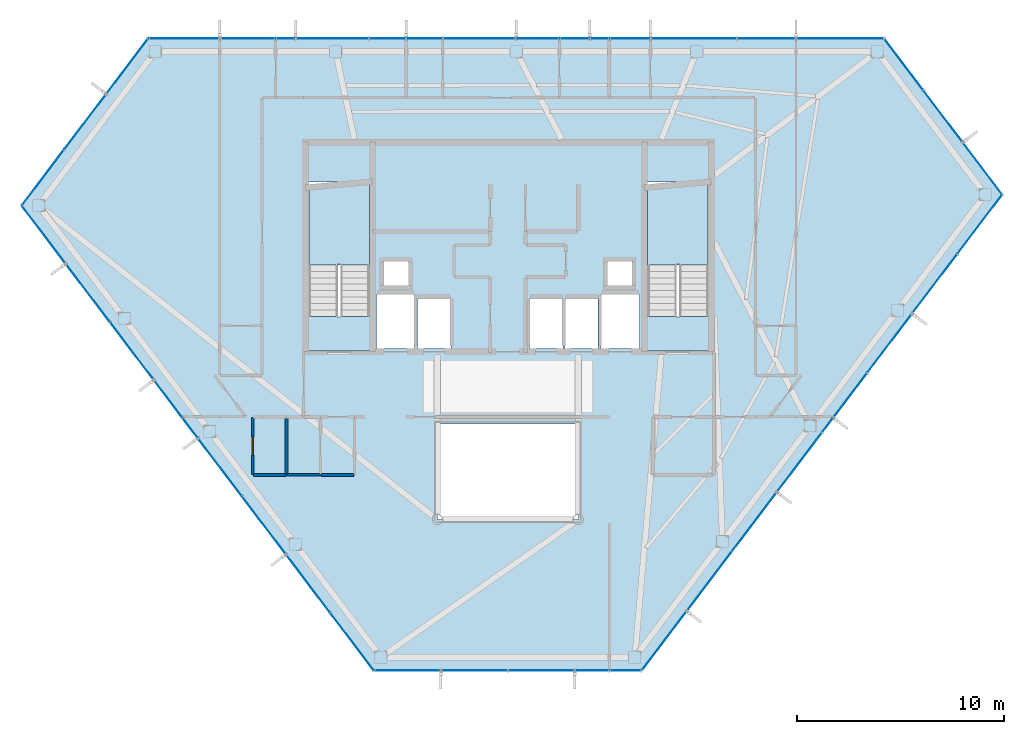
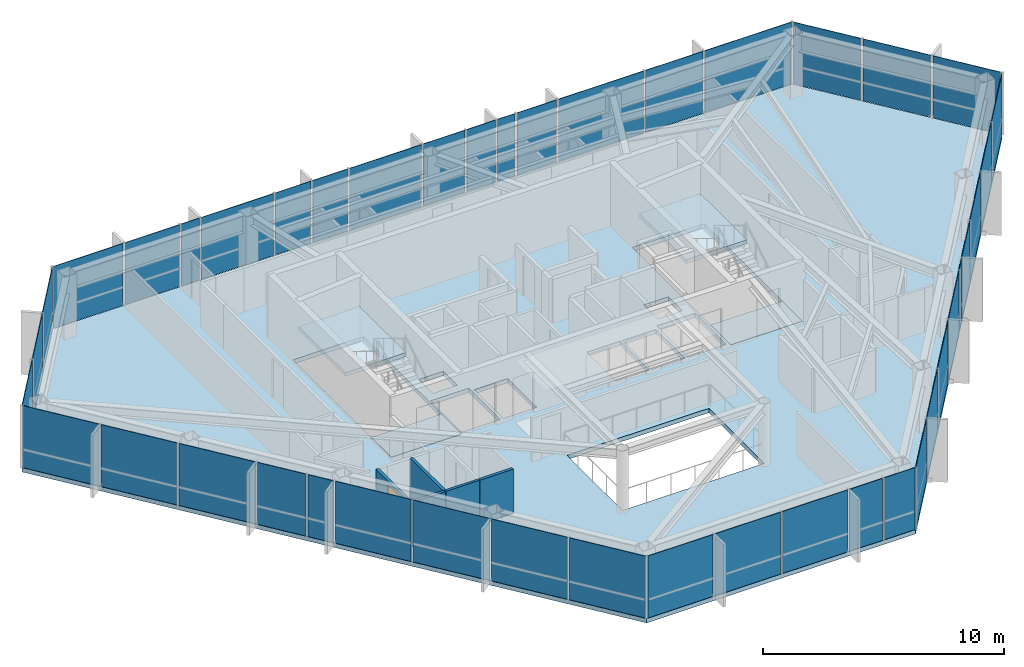
# One storey, part 21 of 25: 43 plates, 5 slabs, 5 walls, 1 door, 1 opening, 8 elements without a shape of their own.
"""IFC4 building model written with IfcOpenShell, lengths in metres."""

import ifcopenshell
import ifcopenshell.guid

model = None  # the IFC model being written
_history = None  # IfcOwnerHistory: only IFC2X3 demands one
_inside = {}  # id of a spatial element -> (the spatial element, [elements in it])
_under = {}  # id of a project, library or spatial element -> (it, [spatial elements below it])
_declared = {}  # id of a project -> (the project, [libraries it declares])
_typed = {}  # id of a type object -> (the type object, [elements of that type])
_made_of = {}  # id of a material, layer set ... -> (it, [elements and type objects made of it])


def new_model(schema):
    """Start an empty IFC model of exactly this schema.

    Asked for "IFC4X3", IfcOpenShell would pick the latest addendum, in which some entities
    have other attributes; the version numbers below select the first issue.
    IFC2X3 requires an IfcOwnerHistory on every rooted entity: one is made here for all.
    """
    global model, _history
    if schema == "IFC4X3":
        model = ifcopenshell.file(schema_version=(4, 3, 0, 0))
    else:
        model = ifcopenshell.file(schema=schema)
    _inside.clear()
    _under.clear()
    _declared.clear()
    _typed.clear()
    _made_of.clear()
    _history = None
    if model.schema == "IFC2X3":
        org = make("IfcOrganization", Name="unknown")
        user = make(
            "IfcPersonAndOrganization",
            ThePerson=make("IfcPerson", FamilyName="unknown"),
            TheOrganization=org,
        )
        app = make(
            "IfcApplication",
            ApplicationDeveloper=org,
            Version="unknown",
            ApplicationFullName="unknown",
            ApplicationIdentifier="unknown",
        )
        _history = make(
            "IfcOwnerHistory",
            OwningUser=user,
            OwningApplication=app,
            ChangeAction="ADDED",
            CreationDate=0,
        )
    return model


def make(cls, **values):
    """One entity of the class cls with the attributes given. An attribute that is None is left unset."""
    return model.create_entity(
        cls, **{name: value for name, value in values.items() if value is not None}
    )


def rooted(cls, **values):
    """An entity with a GlobalId (a new one), such as an element, a storey or a relation."""
    return make(cls, GlobalId=ifcopenshell.guid.new(), OwnerHistory=_history, **values)


def si_unit(unit_type, name, prefix=None):
    """IfcSIUnit, for example si_unit("LENGTHUNIT", "METRE", prefix="MILLI")."""
    return make("IfcSIUnit", UnitType=unit_type, Prefix=prefix, Name=name)


def assignment(units):
    """IfcUnitAssignment: the units of a project."""
    return None if units is None else make("IfcUnitAssignment", Units=units)


def point(xyz):
    """IfcCartesianPoint."""
    return None if xyz is None else make("IfcCartesianPoint", Coordinates=xyz)


def direction(xyz):
    """IfcDirection."""
    return None if xyz is None else make("IfcDirection", DirectionRatios=xyz)


def frame(location, z_axis=None, x_axis=None):
    """IfcAxis2Placement3D, a coordinate frame: its origin and axes. An axis left out is left unset."""
    return make(
        "IfcAxis2Placement3D",
        Location=point(location),
        Axis=direction(z_axis),
        RefDirection=direction(x_axis),
    )


def frame_2d(location, x_axis=None):
    """IfcAxis2Placement2D, a coordinate frame in the plane: its origin and x axis."""
    return make(
        "IfcAxis2Placement2D", Location=point(location), RefDirection=direction(x_axis)
    )


def origin():
    """The frame at (0, 0, 0) with its axes left unset."""
    return frame((0.0, 0.0, 0.0))


def origin_2d():
    """The frame at (0, 0) in the plane with its x axis left unset."""
    return frame_2d((0.0, 0.0))


def place(relative_to, where):
    """IfcLocalPlacement: puts the frame where relative to a parent placement (None: the world)."""
    return make(
        "IfcLocalPlacement", PlacementRelTo=relative_to, RelativePlacement=where
    )


def context(
    kind, dimensions, precision=None, world=None, true_north=None, identifier=None
):
    """IfcGeometricRepresentationContext, for example the 3D "Model" context."""
    return make(
        "IfcGeometricRepresentationContext",
        ContextIdentifier=identifier,
        ContextType=kind,
        CoordinateSpaceDimension=dimensions,
        Precision=precision,
        WorldCoordinateSystem=world,
        TrueNorth=true_north,
    )


def subcontext(parent, identifier, kind, view, scale=None):
    """IfcGeometricRepresentationSubContext, for example "Body" below "Model"."""
    return make(
        "IfcGeometricRepresentationSubContext",
        ContextIdentifier=identifier,
        ContextType=kind,
        ParentContext=parent,
        TargetScale=scale,
        TargetView=view,
    )


def project(units=None, contexts=None):
    """IfcProject with its units and contexts."""
    return rooted(
        "IfcProject",
        Name="project",
        RepresentationContexts=contexts,
        UnitsInContext=assignment(units),
    )


def spatial(cls, under=None, at=None, **own):
    """A site, building, storey or space (cls), placed at a placement, below another one or the project."""
    s = rooted(cls, ObjectPlacement=at, **own)
    if under is not None:
        _under.setdefault(under.id(), (under, []))[1].append(s)
    return s


def polyline(points):
    """IfcPolyline through the points."""
    return make("IfcPolyline", Points=[point(p) for p in points])


def profile(cls, at=None, kind="AREA", **sizes):
    """A parametric profile (cls). Its sizes go by their IFC names, for example OverallWidth=200.0."""
    return make(cls, ProfileType=kind, Position=at, **sizes)


def rectangle(**sizes):
    """IfcRectangleProfileDef."""
    return profile("IfcRectangleProfileDef", **sizes)


def outline(outer, holes=None, kind="AREA"):
    """IfcArbitraryClosedProfileDef: a profile drawn as a closed curve; with holes, ...WithVoids."""
    if holes is None:
        return make("IfcArbitraryClosedProfileDef", ProfileType=kind, OuterCurve=outer)
    return make(
        "IfcArbitraryProfileDefWithVoids",
        ProfileType=kind,
        OuterCurve=outer,
        InnerCurves=holes,
    )


def extrude(swept, where, along, depth):
    """IfcExtrudedAreaSolid: the profile swept, set in the frame where, extruded along a direction by depth."""
    return make(
        "IfcExtrudedAreaSolid",
        SweptArea=swept,
        Position=where,
        ExtrudedDirection=direction(along),
        Depth=depth,
    )


def shape(context_of_items, identifier, shape_type, items):
    """IfcShapeRepresentation: the items that make up one representation, for example the "Body"."""
    return make(
        "IfcShapeRepresentation",
        ContextOfItems=context_of_items,
        RepresentationIdentifier=identifier,
        RepresentationType=shape_type,
        Items=items,
    )


def material(Name=None, Category=None):
    """IfcMaterial."""
    return make("IfcMaterial", Name=Name, Category=Category)


def layer(
    of_material, thickness, ventilated=None, Name=None, Category=None, Priority=None
):
    """IfcMaterialLayer: one layer of a wall or slab, of a material (None: an air gap)."""
    return make(
        "IfcMaterialLayer",
        Material=of_material,
        LayerThickness=thickness,
        IsVentilated=ventilated,
        Name=Name,
        Category=Category,
        Priority=Priority,
    )


def layer_set(layers, Name=None):
    """IfcMaterialLayerSet."""
    return make("IfcMaterialLayerSet", MaterialLayers=layers, LayerSetName=Name)


def made_of(thing, what):
    """Note that an element or type object is made of a material, layer set ...; save() writes the relation."""
    if what is not None:
        _made_of.setdefault(what.id(), (what, []))[1].append(thing)
    return thing


def type_object(cls, material=None, **own):
    """A type object (cls), such as IfcWallType, which elements share."""
    return made_of(rooted(cls, **own), material)


def element(
    cls,
    number,
    at=None,
    inside=None,
    cuts=None,
    type_object=None,
    material=None,
    context=None,
    identifier="Body",
    shape_type=None,
    held_by="IfcProductDefinitionShape",
    body=None,
    shapes=None,
    **own,
):
    """One element of the class cls, such as IfcWall. Its Tag is "e" and its number.

    at: its placement. inside: the storey or other place that contains it. cuts: it is an
    opening in that element (IfcRelVoidsElement). A single representation is given by context,
    identifier, shape_type and body (its items); several are given by shapes. held_by: the class
    of the entity that holds the representations. save() writes the other relations.
    """
    e = rooted(cls, Tag="e%d" % number, ObjectPlacement=at, **own)
    if body is not None:
        shapes = [shape(context, identifier, shape_type, body)]
    if shapes is not None:
        e.Representation = make(held_by, Representations=shapes)
    if inside is not None:
        _inside.setdefault(inside.id(), (inside, []))[1].append(e)
    if cuts is not None:
        rooted(
            "IfcRelVoidsElement", RelatingBuildingElement=cuts, RelatedOpeningElement=e
        )
    if type_object is not None:
        _typed.setdefault(type_object.id(), (type_object, []))[1].append(e)
    return made_of(e, material)


def fill(opening, filler):
    """IfcRelFillsElement: the door or window that sits in an opening."""
    return rooted(
        "IfcRelFillsElement",
        RelatingOpeningElement=opening,
        RelatedBuildingElement=filler,
    )


def aggregate(whole, parts):
    """IfcRelAggregates: a whole, such as a stair, and the parts it consists of."""
    return rooted("IfcRelAggregates", RelatingObject=whole, RelatedObjects=parts)


def save(model, path):
    """Write the relations noted so far, then the file.

    IfcRelAggregates (storeys below a building ...), IfcRelContainedInSpatialStructure (elements
    in a storey), IfcRelDefinesByType, IfcRelAssociatesMaterial and IfcRelDeclares: one each for
    every whole, place, type object, material and project.
    """
    for whole, parts in _under.values():
        aggregate(whole, parts)
    for where, things in _inside.values():
        rooted(
            "IfcRelContainedInSpatialStructure",
            RelatedElements=things,
            RelatingStructure=where,
        )
    for kind, things in _typed.values():
        rooted("IfcRelDefinesByType", RelatedObjects=things, RelatingType=kind)
    for what, things in _made_of.values():
        rooted("IfcRelAssociatesMaterial", RelatedObjects=things, RelatingMaterial=what)
    for by, libraries in _declared.values():
        rooted("IfcRelDeclares", RelatingContext=by, RelatedDefinitions=libraries)
    model.write(path)


model = new_model("IFC4")

# Units and contexts
model_context = context("Model", 3, precision=1e-05, world=origin(), true_north=direction((0.0, 1.0)))
body_context = subcontext(model_context, "Body", "Model", "MODEL_VIEW")
ifc_project = project(units=[si_unit("LENGTHUNIT", "METRE"), si_unit("AREAUNIT", "SQUARE_METRE"), si_unit("VOLUMEUNIT", "CUBIC_METRE"), si_unit("PLANEANGLEUNIT", "RADIAN"), si_unit("MASSUNIT", "GRAM", prefix="KILO")], contexts=[model_context])

# Site, building, storey
site_placement = place(None, origin())
site = spatial("IfcSite", under=ifc_project, at=site_placement, CompositionType="ELEMENT")
building_placement = place(site_placement, origin())
building = spatial("IfcBuilding", under=site, at=building_placement, Name="Zarrinselat Tower", CompositionType="ELEMENT")
storey_placement = place(building_placement, frame((0.0, 0.0, 212.159912109375)))
storey = spatial("IfcBuildingStorey", under=building, at=storey_placement, Name="L52", CompositionType="ELEMENT", Elevation=212.159912109375)

# Curtain wall, plates
ifc_material_1 = material(Name="Extruded Aluminium Alloy EN AW-6063 T6", Category="aluminium")
ifc_layer_1 = layer(ifc_material_1, 0.169921875)
ifc_layer_set_1 = layer_set([ifc_layer_1], Name="Extruded Aluminium Alloy EN AW-6063 T6")
curtain_wall_type = type_object("IfcCurtainWallType", Name="CWS-RES", PredefinedType="NOTDEFINED", material=ifc_layer_set_1)
curtain_wall_1_placement = place(storey_placement, origin())
curtain_wall_1 = element("IfcCurtainWall", 1, at=curtain_wall_1_placement, inside=storey, type_object=curtain_wall_type, Name="L52 Unitised Curtain Wall CW-L52-E01", PredefinedType="NOTDEFINED")
ifc_material_2 = material(Name="Double Low-E Laminated Solar Glass", Category="glass")
ifc_layer_2 = layer(ifc_material_2, 0.028076171875)
ifc_layer_set_2 = layer_set([ifc_layer_2], Name="Double Low-E Laminated Solar Glass")
plate_type = type_object("IfcPlateType", Name="PLT-CW-GL28", PredefinedType="CURTAIN_PANEL", material=ifc_layer_set_2)
plate_1_placement = place(storey_placement, frame((54.420654296875, 48.4111328125, 0.02001953125), z_axis=(0.0, 0.0, 1.0), x_axis=(-1.0, 0.0, 0.0)))
plate_1 = element("IfcPlate", 2, at=plate_1_placement, type_object=plate_type, Name="CW-L52-E01 Vision Glass Panel 1", PredefinedType="CURTAIN_PANEL", context=body_context, shape_type="SweptSolid", body=[
    extrude(rectangle(XDim=4.14111328125, YDim=0.028076171875, at=origin_2d()), origin(), (0.0, 0.0, 1.0), 3.139892578125),
])
plate_2_placement = place(storey_placement, frame((50.872802734375, 48.4111328125, 0.02001953125), z_axis=(0.0, 0.0, 1.0), x_axis=(-1.0, 0.0, 0.0)))
plate_2 = element("IfcPlate", 3, at=plate_2_placement, type_object=plate_type, Name="CW-L52-E01 Vision Glass Panel 2", PredefinedType="CURTAIN_PANEL", context=body_context, shape_type="SweptSolid", body=[
    extrude(rectangle(XDim=2.75439453125, YDim=0.028076171875, at=origin_2d()), origin(), (0.0, 0.0, 1.0), 3.139892578125),
])
plate_3_placement = place(storey_placement, frame((47.36279296875, 48.4111328125, 0.02001953125), z_axis=(0.0, 0.0, 1.0), x_axis=(-1.0, 0.0, 0.0)))
plate_3 = element("IfcPlate", 4, at=plate_3_placement, type_object=plate_type, Name="CW-L52-E01 Vision Glass Panel 3", PredefinedType="CURTAIN_PANEL", context=body_context, shape_type="SweptSolid", body=[
    extrude(rectangle(XDim=4.0654296875, YDim=0.028076171875, at=origin_2d()), origin(), (0.0, 0.0, 1.0), 3.139892578125),
])
plate_4_placement = place(storey_placement, frame((44.2900390625, 48.4111328125, 0.02001953125), z_axis=(0.0, 0.0, 1.0), x_axis=(-1.0, 0.0, 0.0)))
plate_4 = element("IfcPlate", 5, at=plate_4_placement, type_object=plate_type, Name="CW-L52-E01 Vision Glass Panel 4", PredefinedType="CURTAIN_PANEL", context=body_context, shape_type="SweptSolid", body=[
    extrude(rectangle(XDim=1.8798828125, YDim=0.028076171875, at=origin_2d()), origin(), (0.0, 0.0, 1.0), 3.139892578125),
])
plate_5_placement = place(storey_placement, frame((42.824951171875, 48.4111328125, 0.02001953125), z_axis=(0.0, 0.0, 1.0), x_axis=(-1.0, 0.0, 0.0)))
plate_5 = element("IfcPlate", 6, at=plate_5_placement, type_object=plate_type, Name="CW-L52-E01 Vision Glass Panel 5", PredefinedType="CURTAIN_PANEL", context=body_context, shape_type="SweptSolid", body=[
    extrude(rectangle(XDim=0.85009765625, YDim=0.028076171875, at=origin_2d()), origin(), (0.0, 0.0, 1.0), 3.139892578125),
])
plate_6_placement = place(storey_placement, frame((41.619384765625, 48.4111328125, 0.02001953125), z_axis=(0.0, 0.0, 1.0), x_axis=(-1.0, 0.0, 0.0)))
plate_6 = element("IfcPlate", 7, at=plate_6_placement, type_object=plate_type, Name="CW-L52-E01 Vision Glass Panel 6", PredefinedType="CURTAIN_PANEL", context=body_context, shape_type="SweptSolid", body=[
    extrude(rectangle(XDim=1.360595703125, YDim=0.028076171875, at=origin_2d()), origin(), (0.0, 0.0, 1.0), 3.139892578125),
])
plate_7_placement = place(storey_placement, frame((39.845703125, 48.4111328125, 0.02001953125), z_axis=(0.0, 0.0, 1.0), x_axis=(-1.0, 0.0, 0.0)))
plate_7 = element("IfcPlate", 8, at=plate_7_placement, type_object=plate_type, Name="CW-L52-E01 Vision Glass Panel 7", PredefinedType="CURTAIN_PANEL", context=body_context, shape_type="SweptSolid", body=[
    extrude(rectangle(XDim=1.9873046875, YDim=0.028076171875, at=origin_2d()), origin(), (0.0, 0.0, 1.0), 3.139892578125),
])
plate_8_placement = place(storey_placement, frame((37.032958984375, 48.4111328125, 0.02001953125), z_axis=(0.0, 0.0, 1.0), x_axis=(-1.0, 0.0, 0.0)))
plate_8 = element("IfcPlate", 9, at=plate_8_placement, type_object=plate_type, Name="CW-L52-E01 Vision Glass Panel 8", PredefinedType="CURTAIN_PANEL", context=body_context, shape_type="SweptSolid", body=[
    extrude(rectangle(XDim=3.43798828125, YDim=0.028076171875, at=origin_2d()), origin(), (0.0, 0.0, 1.0), 3.139892578125),
])
plate_9_placement = place(storey_placement, frame((34.382080078125, 48.4111328125, 0.02001953125), z_axis=(0.0, 0.0, 1.0), x_axis=(-1.0, 0.0, 0.0)))
plate_9 = element("IfcPlate", 10, at=plate_9_placement, type_object=plate_type, Name="CW-L52-E01 Vision Glass Panel 9", PredefinedType="CURTAIN_PANEL", context=body_context, shape_type="SweptSolid", body=[
    extrude(rectangle(XDim=1.6640625, YDim=0.028076171875, at=origin_2d()), origin(), (0.0, 0.0, 1.0), 3.139892578125),
])
plate_10_placement = place(storey_placement, frame((32.60302734375, 48.4111328125, 0.02001953125), z_axis=(0.0, 0.0, 1.0), x_axis=(-1.0, 0.0, 0.0)))
plate_10 = element("IfcPlate", 11, at=plate_10_placement, type_object=plate_type, Name="CW-L52-E01 Vision Glass Panel 10", PredefinedType="CURTAIN_PANEL", context=body_context, shape_type="SweptSolid", body=[
    extrude(rectangle(XDim=1.69384765625, YDim=0.028076171875, at=origin_2d()), origin(), (0.0, 0.0, 1.0), 3.139892578125),
])
plate_11_placement = place(storey_placement, frame((29.932373046875, 48.4111328125, 0.02001953125), z_axis=(0.0, 0.0, 1.0), x_axis=(-1.0, 0.0, 0.0)))
plate_11 = element("IfcPlate", 12, at=plate_11_placement, type_object=plate_type, Name="CW-L52-E01 Vision Glass Panel 11", PredefinedType="CURTAIN_PANEL", context=body_context, shape_type="SweptSolid", body=[
    extrude(rectangle(XDim=3.447998046875, YDim=0.028076171875, at=origin_2d()), origin(), (0.0, 0.0, 1.0), 3.139892578125),
])
plate_12_placement = place(storey_placement, frame((27.67919921875, 48.4111328125, 0.02001953125), z_axis=(0.0, 0.0, 1.0), x_axis=(-1.0, 0.0, 0.0)))
plate_12 = element("IfcPlate", 13, at=plate_12_placement, type_object=plate_type, Name="CW-L52-E01 Vision Glass Panel 12", PredefinedType="CURTAIN_PANEL", context=body_context, shape_type="SweptSolid", body=[
    extrude(rectangle(XDim=0.8583984375, YDim=0.028076171875, at=origin_2d()), origin(), (0.0, 0.0, 1.0), 3.139892578125),
])
plate_13_placement = place(storey_placement, frame((25.85009765625, 48.4111328125, 0.02001953125), z_axis=(0.0, 0.0, 1.0), x_axis=(-1.0, 0.0, 0.0)))
plate_13 = element("IfcPlate", 14, at=plate_13_placement, type_object=plate_type, Name="CW-L52-E01 Vision Glass Panel 13", PredefinedType="CURTAIN_PANEL", context=body_context, shape_type="SweptSolid", body=[
    extrude(rectangle(XDim=2.60009765625, YDim=0.028076171875, at=origin_2d()), origin(), (0.0, 0.0, 1.0), 3.139892578125),
])
plate_14_placement = place(storey_placement, frame((22.781494140625, 48.4111328125, 0.02001953125), z_axis=(0.0, 0.0, 1.0), x_axis=(-1.0, 0.0, 0.0)))
plate_14 = element("IfcPlate", 15, at=plate_14_placement, type_object=plate_type, Name="CW-L52-E01 Vision Glass Panel 14", PredefinedType="CURTAIN_PANEL", context=body_context, shape_type="SweptSolid", body=[
    extrude(rectangle(XDim=3.33740234375, YDim=0.028076171875, at=origin_2d()), origin(), (0.0, 0.0, 1.0), 3.139892578125),
])
aggregate(curtain_wall_1, [plate_1, plate_2, plate_3, plate_4, plate_5, plate_6, plate_7, plate_8, plate_9, plate_10, plate_11, plate_12, plate_13, plate_14])

curtain_wall_2_placement = place(storey_placement, origin())
curtain_wall_2 = element("IfcCurtainWall", 16, at=curtain_wall_2_placement, inside=storey, type_object=curtain_wall_type, Name="L52 Unitised Curtain Wall CW-L52-E02", PredefinedType="NOTDEFINED")
plate_15_placement = place(storey_placement, frame((20.04443359375, 47.067138671875, 0.02001953125), z_axis=(0.0, 0.0, 1.0), x_axis=(-0.603853501206, -0.797095319947, 0.0)))
plate_15 = element("IfcPlate", 17, at=plate_15_placement, type_object=plate_type, Name="CW-L52-E02 Vision Glass Panel 1", PredefinedType="CURTAIN_PANEL", context=body_context, shape_type="SweptSolid", body=[
    extrude(rectangle(XDim=3.272216796875, YDim=0.028076171875, at=origin_2d()), origin(), (0.0, 0.0, 1.0), 3.139892578125),
])
plate_16_placement = place(storey_placement, frame((18.00830078125, 44.37890625, 0.02001953125), z_axis=(0.0, 0.0, 1.0), x_axis=(-0.603853501206, -0.797095319947, 0.0)))
plate_16 = element("IfcPlate", 18, at=plate_16_placement, type_object=plate_type, Name="CW-L52-E02 Vision Glass Panel 2", PredefinedType="CURTAIN_PANEL", context=body_context, shape_type="SweptSolid", body=[
    extrude(rectangle(XDim=3.272216796875, YDim=0.028076171875, at=origin_2d()), origin(), (0.0, 0.0, 1.0), 3.139892578125),
])
plate_17_placement = place(storey_placement, frame((15.9716796875, 41.69091796875, 0.02001953125), z_axis=(0.0, 0.0, 1.0), x_axis=(-0.603853501206, -0.797095319947, 0.0)))
plate_17 = element("IfcPlate", 19, at=plate_17_placement, type_object=plate_type, Name="CW-L52-E02 Vision Glass Panel 3", PredefinedType="CURTAIN_PANEL", context=body_context, shape_type="SweptSolid", body=[
    extrude(rectangle(XDim=3.272216796875, YDim=0.028076171875, at=origin_2d()), origin(), (0.0, 0.0, 1.0), 3.139892578125),
])
aggregate(curtain_wall_2, [plate_15, plate_16, plate_17])

curtain_wall_3_placement = place(storey_placement, origin())
curtain_wall_3 = element("IfcCurtainWall", 20, at=curtain_wall_3_placement, inside=storey, type_object=curtain_wall_type, Name="L52 Unitised Curtain Wall CW-L52-E03", PredefinedType="NOTDEFINED")
plate_18_placement = place(storey_placement, frame((16.015869140625, 38.944580078125, 0.02001953125), z_axis=(0.0, 0.0, 1.0), x_axis=(0.603858850791, -0.797091267247, 0.0)))
plate_18 = element("IfcPlate", 21, at=plate_18_placement, type_object=plate_type, Name="CW-L52-E03 Vision Glass Panel 1", PredefinedType="CURTAIN_PANEL", context=body_context, shape_type="SweptSolid", body=[
    extrude(rectangle(XDim=3.41845703125, YDim=0.028076171875, at=origin_2d()), origin(), (0.0, 0.0, 1.0), 3.139892578125),
])
plate_19_placement = place(storey_placement, frame((18.140625, 36.14013671875, 0.02001953125), z_axis=(0.0, 0.0, 1.0), x_axis=(0.603858850791, -0.797091267247, 0.0)))
plate_19 = element("IfcPlate", 22, at=plate_19_placement, type_object=plate_type, Name="CW-L52-E03 Vision Glass Panel 2", PredefinedType="CURTAIN_PANEL", context=body_context, shape_type="SweptSolid", body=[
    extrude(rectangle(XDim=3.41845703125, YDim=0.028076171875, at=origin_2d()), origin(), (0.0, 0.0, 1.0), 3.139892578125),
])
plate_20_placement = place(storey_placement, frame((20.265380859375, 33.335693359375, 0.02001953125), z_axis=(0.0, 0.0, 1.0), x_axis=(0.603858850791, -0.797091267247, 0.0)))
plate_20 = element("IfcPlate", 23, at=plate_20_placement, type_object=plate_type, Name="CW-L52-E03 Vision Glass Panel 3", PredefinedType="CURTAIN_PANEL", context=body_context, shape_type="SweptSolid", body=[
    extrude(rectangle(XDim=3.41845703125, YDim=0.028076171875, at=origin_2d()), origin(), (0.0, 0.0, 1.0), 3.139892578125),
])
plate_21_placement = place(storey_placement, frame((22.016845703125, 31.0234375, 0.02001953125), z_axis=(0.0, 0.0, 1.0), x_axis=(0.603858850791, -0.797091267247, 0.0)))
plate_21 = element("IfcPlate", 24, at=plate_21_placement, type_object=plate_type, Name="CW-L52-E03 Vision Glass Panel 4", PredefinedType="CURTAIN_PANEL", context=body_context, shape_type="SweptSolid", body=[
    extrude(rectangle(XDim=2.1826171875, YDim=0.028076171875, at=origin_2d()), origin(), (0.0, 0.0, 1.0), 3.139892578125),
])
plate_22_placement = place(storey_placement, frame((23.0791015625, 29.621337890625, 0.02001953125), z_axis=(0.0, 0.0, 1.0), x_axis=(0.603858850791, -0.797091267247, 0.0)))
plate_22 = element("IfcPlate", 25, at=plate_22_placement, type_object=plate_type, Name="CW-L52-E03 Vision Glass Panel 5", PredefinedType="CURTAIN_PANEL", context=body_context, shape_type="SweptSolid", body=[
    extrude(rectangle(XDim=1.1357421875, YDim=0.028076171875, at=origin_2d()), origin(), (0.0, 0.0, 1.0), 3.139892578125),
])
plate_23_placement = place(storey_placement, frame((24.5146484375, 27.7265625, 0.02001953125), z_axis=(0.0, 0.0, 1.0), x_axis=(0.603858850791, -0.797091267247, 0.0)))
plate_23 = element("IfcPlate", 26, at=plate_23_placement, type_object=plate_type, Name="CW-L52-E03 Vision Glass Panel 6", PredefinedType="CURTAIN_PANEL", context=body_context, shape_type="SweptSolid", body=[
    extrude(rectangle(XDim=3.41845703125, YDim=0.028076171875, at=origin_2d()), origin(), (0.0, 0.0, 1.0), 3.139892578125),
])
plate_24_placement = place(storey_placement, frame((26.639404296875, 24.921875, 0.02001953125), z_axis=(0.0, 0.0, 1.0), x_axis=(0.603858850791, -0.797091267247, 0.0)))
plate_24 = element("IfcPlate", 27, at=plate_24_placement, type_object=plate_type, Name="CW-L52-E03 Vision Glass Panel 7", PredefinedType="CURTAIN_PANEL", context=body_context, shape_type="SweptSolid", body=[
    extrude(rectangle(XDim=3.41845703125, YDim=0.028076171875, at=origin_2d()), origin(), (0.0, 0.0, 1.0), 3.139892578125),
])
plate_25_placement = place(storey_placement, frame((28.763916015625, 22.1171875, 0.02001953125), z_axis=(0.0, 0.0, 1.0), x_axis=(0.603858850791, -0.797091267247, 0.0)))
plate_25 = element("IfcPlate", 28, at=plate_25_placement, type_object=plate_type, Name="CW-L52-E03 Vision Glass Panel 8", PredefinedType="CURTAIN_PANEL", context=body_context, shape_type="SweptSolid", body=[
    extrude(rectangle(XDim=3.41845703125, YDim=0.028076171875, at=origin_2d()), origin(), (0.0, 0.0, 1.0), 3.139892578125),
])
plate_26_placement = place(storey_placement, frame((30.888671875, 19.312744140625, 0.02001953125), z_axis=(0.0, 0.0, 1.0), x_axis=(0.603858850791, -0.797091267247, 0.0)))
plate_26 = element("IfcPlate", 29, at=plate_26_placement, type_object=plate_type, Name="CW-L52-E03 Vision Glass Panel 9", PredefinedType="CURTAIN_PANEL", context=body_context, shape_type="SweptSolid", body=[
    extrude(rectangle(XDim=3.41845703125, YDim=0.028076171875, at=origin_2d()), origin(), (0.0, 0.0, 1.0), 3.139892578125),
])
aggregate(curtain_wall_3, [plate_18, plate_19, plate_20, plate_21, plate_22, plate_23, plate_24, plate_25, plate_26])

curtain_wall_4_placement = place(storey_placement, origin())
curtain_wall_4 = element("IfcCurtainWall", 30, at=curtain_wall_4_placement, inside=storey, type_object=curtain_wall_type, Name="L52 Unitised Curtain Wall CW-L52-E04", PredefinedType="NOTDEFINED")
plate_27_placement = place(storey_placement, frame((33.563232421875, 17.910400390625, 0.02001953125), z_axis=(0.0, 0.0, 1.0), x_axis=(1.0, 0.0, 0.0)))
plate_27 = element("IfcPlate", 31, at=plate_27_placement, type_object=plate_type, Name="CW-L52-E04 Vision Glass Panel 1", PredefinedType="CURTAIN_PANEL", context=body_context, shape_type="SweptSolid", body=[
    extrude(rectangle(XDim=3.12451171875, YDim=0.028076171875, at=origin_2d()), origin(), (0.0, 0.0, 1.0), 3.139892578125),
])
plate_28_placement = place(storey_placement, frame((36.787841796875, 17.910400390625, 0.02001953125), z_axis=(0.0, 0.0, 1.0), x_axis=(1.0, 0.0, 0.0)))
plate_28 = element("IfcPlate", 32, at=plate_28_placement, type_object=plate_type, Name="CW-L52-E04 Vision Glass Panel 2", PredefinedType="CURTAIN_PANEL", context=body_context, shape_type="SweptSolid", body=[
    extrude(rectangle(XDim=3.12451171875, YDim=0.028076171875, at=origin_2d()), origin(), (0.0, 0.0, 1.0), 3.139892578125),
])
plate_29_placement = place(storey_placement, frame((40.01220703125, 17.910400390625, 0.02001953125), z_axis=(0.0, 0.0, 1.0), x_axis=(1.0, 0.0, 0.0)))
plate_29 = element("IfcPlate", 33, at=plate_29_placement, type_object=plate_type, Name="CW-L52-E04 Vision Glass Panel 3", PredefinedType="CURTAIN_PANEL", context=body_context, shape_type="SweptSolid", body=[
    extrude(rectangle(XDim=3.12451171875, YDim=0.028076171875, at=origin_2d()), origin(), (0.0, 0.0, 1.0), 3.139892578125),
])
plate_30_placement = place(storey_placement, frame((42.462158203125, 17.910400390625, 0.02001953125), z_axis=(0.0, 0.0, 1.0), x_axis=(1.0, 0.0, 0.0)))
plate_30 = element("IfcPlate", 34, at=plate_30_placement, type_object=plate_type, Name="CW-L52-E04 Vision Glass Panel 4", PredefinedType="CURTAIN_PANEL", context=body_context, shape_type="SweptSolid", body=[
    extrude(rectangle(XDim=1.575439453125, YDim=0.028076171875, at=origin_2d()), origin(), (0.0, 0.0, 1.0), 3.139892578125),
])
plate_31_placement = place(storey_placement, frame((44.074462890625, 17.910400390625, 0.02001953125), z_axis=(0.0, 0.0, 1.0), x_axis=(1.0, 0.0, 0.0)))
plate_31 = element("IfcPlate", 35, at=plate_31_placement, type_object=plate_type, Name="CW-L52-E04 Vision Glass Panel 5", PredefinedType="CURTAIN_PANEL", context=body_context, shape_type="SweptSolid", body=[
    extrude(rectangle(XDim=1.448974609375, YDim=0.028076171875, at=origin_2d()), origin(), (0.0, 0.0, 1.0), 3.139892578125),
])
aggregate(curtain_wall_4, [plate_27, plate_28, plate_29, plate_30, plate_31])

curtain_wall_5_placement = place(storey_placement, origin())
curtain_wall_5 = element("IfcCurtainWall", 36, at=curtain_wall_5_placement, inside=storey, type_object=curtain_wall_type, Name="L52 Unitised Curtain Wall CW-L52-E05", PredefinedType="NOTDEFINED")
plate_32_placement = place(storey_placement, frame((45.9365234375, 19.345947265625, 0.02001953125), z_axis=(0.0, 0.0, 1.0), x_axis=(0.603859492128, 0.797090781384, 0.0)))
plate_32 = element("IfcPlate", 37, at=plate_32_placement, type_object=plate_type, Name="CW-L52-E05 Vision Glass Panel 1", PredefinedType="CURTAIN_PANEL", context=body_context, shape_type="SweptSolid", body=[
    extrude(rectangle(XDim=3.501708984375, YDim=0.028076171875, at=origin_2d()), origin(), (0.0, 0.0, 1.0), 3.139892578125),
])
plate_33_placement = place(storey_placement, frame((48.111328125, 22.216796875, 0.02001953125), z_axis=(0.0, 0.0, 1.0), x_axis=(0.603859492128, 0.797090781384, 0.0)))
plate_33 = element("IfcPlate", 38, at=plate_33_placement, type_object=plate_type, Name="CW-L52-E05 Vision Glass Panel 2", PredefinedType="CURTAIN_PANEL", context=body_context, shape_type="SweptSolid", body=[
    extrude(rectangle(XDim=3.501708984375, YDim=0.028076171875, at=origin_2d()), origin(), (0.0, 0.0, 1.0), 3.139892578125),
])
plate_34_placement = place(storey_placement, frame((50.286376953125, 25.087646484375, 0.02001953125), z_axis=(0.0, 0.0, 1.0), x_axis=(0.603859492128, 0.797090781384, 0.0)))
plate_34 = element("IfcPlate", 39, at=plate_34_placement, type_object=plate_type, Name="CW-L52-E05 Vision Glass Panel 3", PredefinedType="CURTAIN_PANEL", context=body_context, shape_type="SweptSolid", body=[
    extrude(rectangle(XDim=3.501708984375, YDim=0.028076171875, at=origin_2d()), origin(), (0.0, 0.0, 1.0), 3.139892578125),
])
plate_35_placement = place(storey_placement, frame((52.461181640625, 27.95849609375, 0.02001953125), z_axis=(0.0, 0.0, 1.0), x_axis=(0.603859492128, 0.797090781384, 0.0)))
plate_35 = element("IfcPlate", 40, at=plate_35_placement, type_object=plate_type, Name="CW-L52-E05 Vision Glass Panel 4", PredefinedType="CURTAIN_PANEL", context=body_context, shape_type="SweptSolid", body=[
    extrude(rectangle(XDim=3.501708984375, YDim=0.028076171875, at=origin_2d()), origin(), (0.0, 0.0, 1.0), 3.139892578125),
])
plate_36_placement = place(storey_placement, frame((53.8212890625, 29.75390625, 0.02001953125), z_axis=(0.0, 0.0, 1.0), x_axis=(0.603859492128, 0.797090781384, 0.0)))
plate_36 = element("IfcPlate", 41, at=plate_36_placement, type_object=plate_type, Name="CW-L52-E05 Vision Glass Panel 5", PredefinedType="CURTAIN_PANEL", context=body_context, shape_type="SweptSolid", body=[
    extrude(rectangle(XDim=0.802978515625, YDim=0.028076171875, at=origin_2d()), origin(), (0.0, 0.0, 1.0), 3.139892578125),
])
plate_37_placement = place(storey_placement, frame((54.90869140625, 31.189208984375, 0.02001953125), z_axis=(0.0, 0.0, 1.0), x_axis=(0.603859492128, 0.797090781384, 0.0)))
plate_37 = element("IfcPlate", 42, at=plate_37_placement, type_object=plate_type, Name="CW-L52-E05 Vision Glass Panel 6", PredefinedType="CURTAIN_PANEL", context=body_context, shape_type="SweptSolid", body=[
    extrude(rectangle(XDim=2.598876953125, YDim=0.028076171875, at=origin_2d()), origin(), (0.0, 0.0, 1.0), 3.139892578125),
])
plate_38_placement = place(storey_placement, frame((56.81103515625, 33.700439453125, 0.02001953125), z_axis=(0.0, 0.0, 1.0), x_axis=(0.603859492128, 0.797090781384, 0.0)))
plate_38 = element("IfcPlate", 43, at=plate_38_placement, type_object=plate_type, Name="CW-L52-E05 Vision Glass Panel 7", PredefinedType="CURTAIN_PANEL", context=body_context, shape_type="SweptSolid", body=[
    extrude(rectangle(XDim=3.501708984375, YDim=0.028076171875, at=origin_2d()), origin(), (0.0, 0.0, 1.0), 3.139892578125),
])
plate_39_placement = place(storey_placement, frame((58.986083984375, 36.5712890625, 0.02001953125), z_axis=(0.0, 0.0, 1.0), x_axis=(0.603859492128, 0.797090781384, 0.0)))
plate_39 = element("IfcPlate", 44, at=plate_39_placement, type_object=plate_type, Name="CW-L52-E05 Vision Glass Panel 8", PredefinedType="CURTAIN_PANEL", context=body_context, shape_type="SweptSolid", body=[
    extrude(rectangle(XDim=3.501708984375, YDim=0.028076171875, at=origin_2d()), origin(), (0.0, 0.0, 1.0), 3.139892578125),
])
plate_40_placement = place(storey_placement, frame((61.160888671875, 39.442138671875, 0.02001953125), z_axis=(0.0, 0.0, 1.0), x_axis=(0.603859492128, 0.797090781384, 0.0)))
plate_40 = element("IfcPlate", 45, at=plate_40_placement, type_object=plate_type, Name="CW-L52-E05 Vision Glass Panel 9", PredefinedType="CURTAIN_PANEL", context=body_context, shape_type="SweptSolid", body=[
    extrude(rectangle(XDim=3.501708984375, YDim=0.028076171875, at=origin_2d()), origin(), (0.0, 0.0, 1.0), 3.139892578125),
])
aggregate(curtain_wall_5, [plate_32, plate_33, plate_34, plate_35, plate_36, plate_37, plate_38, plate_39, plate_40])

curtain_wall_6_placement = place(storey_placement, origin())
curtain_wall_6 = element("IfcCurtainWall", 46, at=curtain_wall_6_placement, inside=storey, type_object=curtain_wall_type, Name="L52 Unitised Curtain Wall CW-L52-E06", PredefinedType="NOTDEFINED")
plate_41_placement = place(storey_placement, frame((61.297119140625, 42.13330078125, 0.02001953125), z_axis=(0.0, 0.0, 1.0), x_axis=(-0.603857891707, 0.797091993827, 0.0)))
plate_41 = element("IfcPlate", 47, at=plate_41_placement, type_object=plate_type, Name="CW-L52-E06 Vision Glass Panel 1", PredefinedType="CURTAIN_PANEL", context=body_context, shape_type="SweptSolid", body=[
    extrude(rectangle(XDim=3.05029296875, YDim=0.028076171875, at=origin_2d()), origin(), (0.0, 0.0, 1.0), 3.139892578125),
])
plate_42_placement = place(storey_placement, frame((59.394775390625, 44.644287109375, 0.02001953125), z_axis=(0.0, 0.0, 1.0), x_axis=(-0.603857891707, 0.797091993827, 0.0)))
plate_42 = element("IfcPlate", 48, at=plate_42_placement, type_object=plate_type, Name="CW-L52-E06 Vision Glass Panel 2", PredefinedType="CURTAIN_PANEL", context=body_context, shape_type="SweptSolid", body=[
    extrude(rectangle(XDim=3.05029296875, YDim=0.028076171875, at=origin_2d()), origin(), (0.0, 0.0, 1.0), 3.139892578125),
])
plate_43_placement = place(storey_placement, frame((57.492431640625, 47.155517578125, 0.02001953125), z_axis=(0.0, 0.0, 1.0), x_axis=(-0.603857891707, 0.797091993827, 0.0)))
plate_43 = element("IfcPlate", 49, at=plate_43_placement, type_object=plate_type, Name="CW-L52-E06 Vision Glass Panel 3", PredefinedType="CURTAIN_PANEL", context=body_context, shape_type="SweptSolid", body=[
    extrude(rectangle(XDim=3.05029296875, YDim=0.028076171875, at=origin_2d()), origin(), (0.0, 0.0, 1.0), 3.139892578125),
])
aggregate(curtain_wall_6, [plate_41, plate_42, plate_43])

# Slabs
ifc_material_3 = material(Name="Concrete C40/50", Category="concrete")
ifc_layer_3 = layer(ifc_material_3, 0.219970703125)
ifc_layer_set_3 = layer_set([ifc_layer_3], Name="Concrete C40/50")
slab_type_1 = type_object("IfcSlabType", Name="SLB-FLOOR-220-SL-RS220", PredefinedType="FLOOR", material=ifc_layer_set_3)
slab_1_placement = place(storey_placement, frame((0.0, 0.0, -0.219970703125)))
element("IfcSlab", 50, at=slab_1_placement, inside=storey, type_object=slab_type_1, Name="L52 Primary Structural Slab", PredefinedType="FLOOR", context=body_context, shape_type="SweptSolid", body=[
    extrude(outline(polyline([(56.541259765625, 48.4111328125), (21.062744140625, 48.4111328125), (14.95361328125, 40.346923828125), (31.950927734375, 17.910400390625), (44.84912109375, 17.910400390625), (62.248291015625, 40.877685546875), (56.541259765625, 48.4111328125)]), holes=[polyline([(41.800048828125, 25.199951171875), (35.0, 25.199951171875), (35.0, 29.800048828125), (41.800048828125, 29.800048828125), (41.800048828125, 25.199951171875)]), polyline([(35.64990234375, 33.449951171875), (34.050048828125, 33.449951171875), (34.050048828125, 35.85009765625), (35.64990234375, 35.85009765625), (35.64990234375, 33.449951171875)]), polyline([(41.050048828125, 33.449951171875), (39.449951171875, 33.449951171875), (39.449951171875, 35.85009765625), (41.050048828125, 35.85009765625), (41.050048828125, 33.449951171875)]), polyline([(41.14990234375, 33.449951171875), (41.14990234375, 35.85009765625), (42.75, 35.85009765625), (42.75, 33.449951171875), (41.14990234375, 33.449951171875)]), polyline([(32.06005859375, 33.449951171875), (32.06005859375, 36.050048828125), (33.89990234375, 36.050048828125), (33.89990234375, 33.449951171875), (32.06005859375, 33.449951171875)]), polyline([(44.739990234375, 33.449951171875), (42.89990234375, 33.449951171875), (42.89990234375, 36.050048828125), (44.739990234375, 36.050048828125), (44.739990234375, 33.449951171875)]), polyline([(33.60009765625, 36.47998046875), (32.419921875, 36.47998046875), (32.419921875, 37.639892578125), (33.60009765625, 37.639892578125), (33.60009765625, 36.47998046875)]), polyline([(44.3798828125, 36.47998046875), (43.199951171875, 36.47998046875), (43.199951171875, 37.639892578125), (44.3798828125, 37.639892578125), (44.3798828125, 36.47998046875)]), polyline([(31.985107421875, 33.324951171875), (28.60498046875, 33.324951171875), (28.60498046875, 41.47509765625), (31.985107421875, 41.47509765625), (31.985107421875, 33.324951171875)]), polyline([(48.324951171875, 33.324951171875), (44.875, 33.324951171875), (44.875, 41.47509765625), (48.324951171875, 41.47509765625), (48.324951171875, 33.324951171875)])]), origin(), (0.0, 0.0, 1.0), 0.219970703125),
])
slab_2_placement = place(storey_placement, frame((0.0, 0.0, -0.219970703125)))
element("IfcSlab", 51, at=slab_2_placement, inside=storey, type_object=slab_type_1, Name="L52 Stair ST-1-FL1 Structural Floor Landing", PredefinedType="FLOOR", context=body_context, shape_type="SweptSolid", body=[
    extrude(outline(polyline([(31.97998046875, 33.330078125), (31.97998046875, 35.0), (28.610107421875, 35.0), (28.610107421875, 33.330078125), (31.97998046875, 33.330078125)])), origin(), (0.0, 0.0, 1.0), 0.219970703125),
])
slab_3_placement = place(storey_placement, frame((0.0, 0.0, -0.219970703125)))
element("IfcSlab", 52, at=slab_3_placement, inside=storey, type_object=slab_type_1, Name="L52 Stair ST-2-FL1 Structural Floor Landing", PredefinedType="FLOOR", context=body_context, shape_type="SweptSolid", body=[
    extrude(outline(polyline([(48.320068359375, 33.330078125), (48.320068359375, 35.0), (44.8798828125, 35.0), (44.8798828125, 33.330078125), (48.320068359375, 33.330078125)])), origin(), (0.0, 0.0, 1.0), 0.219970703125),
])

# Stair, slab
ifc_material_4 = material(Name="Concrete C40/50", Category="concrete")
stair_type = type_object("IfcStairType", Name="STR-CORE-155", PredefinedType="HALF_TURN_STAIR", material=ifc_material_4)
stair_1_placement = place(storey_placement, origin())
stair_1 = element("IfcStair", 53, at=stair_1_placement, inside=storey, type_object=stair_type, Name="L52 Core Exit Stair 1", PredefinedType="HALF_TURN_STAIR")
ifc_material_5 = material(Name="Concrete C40/50", Category="concrete")
ifc_layer_4 = layer(ifc_material_5, 0.18994140625)
ifc_layer_set_4 = layer_set([ifc_layer_4], Name="Concrete C40/50")
slab_type_2 = type_object("IfcSlabType", Name="SLB-LND-190", PredefinedType="LANDING", material=ifc_layer_set_4)
slab_4_placement = place(storey_placement, frame((0.0, 0.0, 1.5)))
slab_4 = element("IfcSlab", 54, at=slab_4_placement, type_object=slab_type_2, Name="ST-1 landing 1", PredefinedType="LANDING", context=body_context, shape_type="SweptSolid", body=[
    extrude(outline(polyline([(31.719970703125, 37.47998046875), (31.719970703125, 41.35009765625), (28.800048828125, 41.35009765625), (28.800048828125, 37.47998046875), (31.719970703125, 37.47998046875)])), origin(), (0.0, 0.0, 1.0), 0.2001953125),
])
aggregate(stair_1, [slab_4])

stair_2_placement = place(storey_placement, origin())
stair_2 = element("IfcStair", 55, at=stair_2_placement, inside=storey, type_object=stair_type, Name="L52 Core Exit Stair 2", PredefinedType="HALF_TURN_STAIR")
slab_5_placement = place(storey_placement, frame((0.0, 0.0, 1.5)))
slab_5 = element("IfcSlab", 56, at=slab_5_placement, type_object=slab_type_2, Name="ST-2 landing 1", PredefinedType="LANDING", context=body_context, shape_type="SweptSolid", body=[
    extrude(outline(polyline([(48.06005859375, 37.47998046875), (48.06005859375, 41.35009765625), (45.139892578125, 41.35009765625), (45.139892578125, 37.47998046875), (48.06005859375, 37.47998046875)])), origin(), (0.0, 0.0, 1.0), 0.2001953125),
])
aggregate(stair_2, [slab_5])

# Walls
ifc_material_6 = material(Name="Fire-Rated Gypsum Board Partition", Category="gypsum")
ifc_layer_5 = layer(ifc_material_6, 0.1201171875)
ifc_layer_set_5 = layer_set([ifc_layer_5], Name="Fire-Rated Gypsum Board Partition")
wall_type_1 = type_object("IfcWallType", Name="WAL-PART-STD", PredefinedType="PARTITIONING", material=ifc_layer_set_5)
wall_1_placement = place(storey_placement, frame((27.75, 27.35009765625, 0.0), z_axis=(0.0, 0.0, 1.0), x_axis=(1.0, 0.0, 0.0)))
element("IfcWall", 57, at=wall_1_placement, inside=storey, type_object=wall_type_1, Name="L52 Partition Wall 56", PredefinedType="PARTITIONING", context=body_context, shape_type="SweptSolid", body=[
    extrude(rectangle(XDim=1.590087890625, YDim=0.1201171875, at=frame_2d((0.794921875, 0.0))), origin(), (0.0, 0.0, 1.0), 2.235107421875),
])
ifc_material_7 = material(Name="Fire-Rated Gypsum Board Partition", Category="gypsum")
ifc_layer_6 = layer(ifc_material_7, 0.135009765625)
ifc_layer_set_6 = layer_set([ifc_layer_6], Name="Fire-Rated Gypsum Board Partition")
wall_type_2 = type_object("IfcWallType", Name="WAL-PART-WET", PredefinedType="PARTITIONING", material=ifc_layer_set_6)
wall_2_placement = place(storey_placement, frame((29.3798828125, 27.35009765625, 0.0), z_axis=(0.0, 0.0, 1.0), x_axis=(1.0, 0.0, 0.0)))
element("IfcWall", 58, at=wall_2_placement, inside=storey, type_object=wall_type_2, Name="L52 Partition Wall 51", PredefinedType="PARTITIONING", context=body_context, shape_type="SweptSolid", body=[
    extrude(rectangle(XDim=1.60009765625, YDim=0.135009765625, at=frame_2d((0.800048828125, 0.0))), origin(), (0.0, 0.0, 1.0), 2.235107421875),
])
wall_3_placement = place(storey_placement, frame((27.72998046875, 27.3701171875, 0.0), z_axis=(0.0, 0.0, 1.0), x_axis=(0.0, 1.0, 0.0)))
element("IfcWall", 59, at=wall_3_placement, inside=storey, type_object=wall_type_2, Name="L52 Partition Wall 53", PredefinedType="PARTITIONING", context=body_context, shape_type="SweptSolid", body=[
    extrude(rectangle(XDim=2.759765625, YDim=0.135009765625, at=frame_2d((1.3798828125, 0.0))), origin(), (0.0, 0.0, 1.0), 2.235107421875),
])
wall_4_placement = place(storey_placement, frame((26.1201171875, 27.35009765625, 0.0), z_axis=(0.0, 0.0, 1.0), x_axis=(1.0, 0.0, 0.0)))
element("IfcWall", 60, at=wall_4_placement, inside=storey, type_object=wall_type_2, Name="L52 Partition Wall 54", PredefinedType="PARTITIONING", context=body_context, shape_type="SweptSolid", body=[
    extrude(rectangle(XDim=1.58984375, YDim=0.135009765625, at=frame_2d((0.794921875, 0.0))), origin(), (0.0, 0.0, 1.0), 2.235107421875),
])

# Wall, opening, door
wall_5_placement = place(storey_placement, frame((26.10009765625, 27.3701171875, 0.0), z_axis=(0.0, 0.0, 1.0), x_axis=(0.0, 1.0, 0.0)))
wall_5 = element("IfcWall", 61, at=wall_5_placement, inside=storey, type_object=wall_type_2, Name="L52 Partition Wall 55", PredefinedType="PARTITIONING", context=body_context, shape_type="SweptSolid", body=[
    extrude(rectangle(XDim=2.759765625, YDim=0.135009765625, at=frame_2d((1.3798828125, 0.0))), origin(), (0.0, 0.0, 1.0), 2.235107421875),
])
opening_placement = place(wall_5_placement, frame((0.949951171875, 0.0, 0.0)))
opening = element("IfcOpeningElement", 62, at=opening_placement, cuts=wall_5, Name="Opening ID-06", PredefinedType="OPENING", context=body_context, shape_type="SweptSolid", body=[
    extrude(rectangle(XDim=0.860107421875, YDim=2.050048828125, at=frame_2d((0.43017578125, 1.02490234375))), frame((0.0, 0.077392578125, 0.0), z_axis=(0.0, -1.0, 0.0), x_axis=(1.0, 0.0, 0.0)), (0.0, 0.0, 1.0), 0.155029296875),
])
ifc_material_8 = material(Name="Extruded Aluminium Alloy EN AW-6063 T6", Category="aluminium")
door_type = type_object("IfcDoorType", Name="DR-INT-WET-900", OperationType="NOTDEFINED", PredefinedType="DOOR", material=ifc_material_8)
door_placement = place(opening_placement, origin())
door = element("IfcDoor", 63, at=door_placement, inside=storey, type_object=door_type, Name="L52 Interior Door P55", OperationType="SINGLE_SWING_LEFT", OverallHeight=2.050048828125, OverallWidth=0.860107421875, PredefinedType="DOOR", context=body_context, shape_type="SweptSolid", body=[
    extrude(rectangle(XDim=0.860107421875, YDim=2.050048828125, at=frame_2d((0.43017578125, 1.02490234375))), frame((0.0, 0.02490234375, 0.0), z_axis=(0.0, -1.0, 0.0), x_axis=(1.0, 0.0, 0.0)), (0.0, 0.0, 1.0), 0.050048828125),
])
fill(opening, door)

save(model, "model.ifc")
